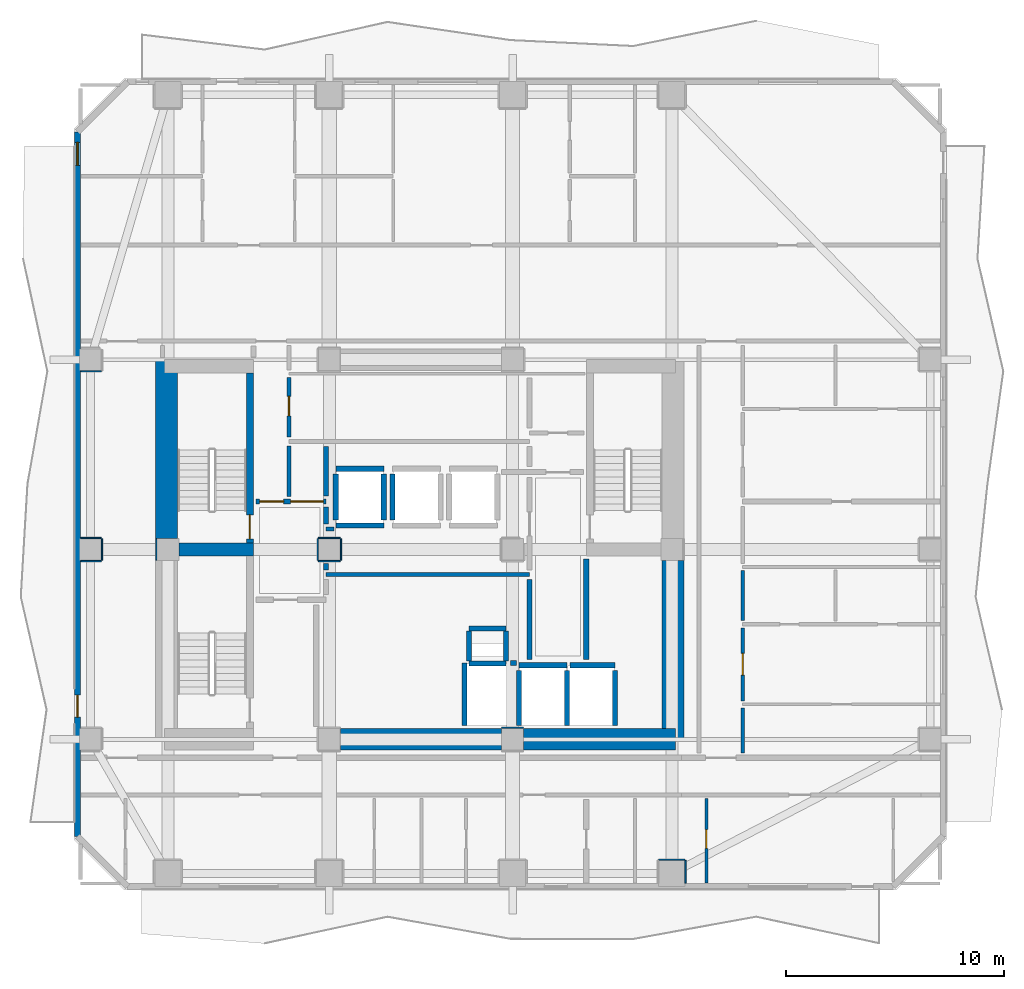
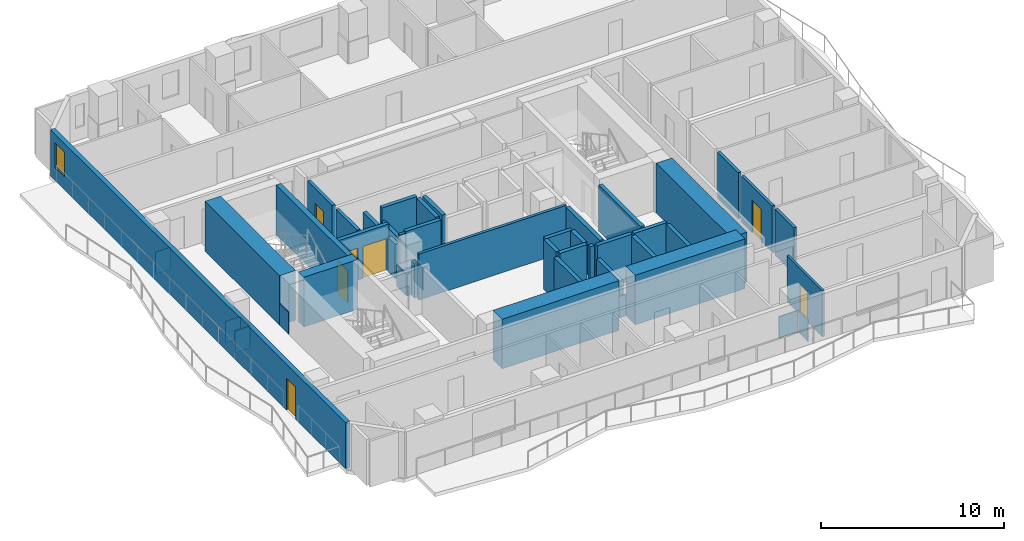
# One storey, part 3 of 11: 49 walls, 7 doors, 1 window, 8 openings.
"""IFC4 building model written with IfcOpenShell, lengths in metres."""

import ifcopenshell
import ifcopenshell.guid

model = None  # the IFC model being written
_history = None  # IfcOwnerHistory: only IFC2X3 demands one
_inside = {}  # id of a spatial element -> (the spatial element, [elements in it])
_under = {}  # id of a project, library or spatial element -> (it, [spatial elements below it])
_declared = {}  # id of a project -> (the project, [libraries it declares])
_typed = {}  # id of a type object -> (the type object, [elements of that type])
_made_of = {}  # id of a material, layer set ... -> (it, [elements and type objects made of it])


def new_model(schema):
    """Start an empty IFC model of exactly this schema.

    Asked for "IFC4X3", IfcOpenShell would pick the latest addendum, in which some entities
    have other attributes; the version numbers below select the first issue.
    IFC2X3 requires an IfcOwnerHistory on every rooted entity: one is made here for all.
    """
    global model, _history
    if schema == "IFC4X3":
        model = ifcopenshell.file(schema_version=(4, 3, 0, 0))
    else:
        model = ifcopenshell.file(schema=schema)
    _inside.clear()
    _under.clear()
    _declared.clear()
    _typed.clear()
    _made_of.clear()
    _history = None
    if model.schema == "IFC2X3":
        org = make("IfcOrganization", Name="unknown")
        user = make(
            "IfcPersonAndOrganization",
            ThePerson=make("IfcPerson", FamilyName="unknown"),
            TheOrganization=org,
        )
        app = make(
            "IfcApplication",
            ApplicationDeveloper=org,
            Version="unknown",
            ApplicationFullName="unknown",
            ApplicationIdentifier="unknown",
        )
        _history = make(
            "IfcOwnerHistory",
            OwningUser=user,
            OwningApplication=app,
            ChangeAction="ADDED",
            CreationDate=0,
        )
    return model


def make(cls, **values):
    """One entity of the class cls with the attributes given. An attribute that is None is left unset."""
    return model.create_entity(
        cls, **{name: value for name, value in values.items() if value is not None}
    )


def rooted(cls, **values):
    """An entity with a GlobalId (a new one), such as an element, a storey or a relation."""
    return make(cls, GlobalId=ifcopenshell.guid.new(), OwnerHistory=_history, **values)


def si_unit(unit_type, name, prefix=None):
    """IfcSIUnit, for example si_unit("LENGTHUNIT", "METRE", prefix="MILLI")."""
    return make("IfcSIUnit", UnitType=unit_type, Prefix=prefix, Name=name)


def assignment(units):
    """IfcUnitAssignment: the units of a project."""
    return None if units is None else make("IfcUnitAssignment", Units=units)


def point(xyz):
    """IfcCartesianPoint."""
    return None if xyz is None else make("IfcCartesianPoint", Coordinates=xyz)


def direction(xyz):
    """IfcDirection."""
    return None if xyz is None else make("IfcDirection", DirectionRatios=xyz)


def frame(location, z_axis=None, x_axis=None):
    """IfcAxis2Placement3D, a coordinate frame: its origin and axes. An axis left out is left unset."""
    return make(
        "IfcAxis2Placement3D",
        Location=point(location),
        Axis=direction(z_axis),
        RefDirection=direction(x_axis),
    )


def frame_2d(location, x_axis=None):
    """IfcAxis2Placement2D, a coordinate frame in the plane: its origin and x axis."""
    return make(
        "IfcAxis2Placement2D", Location=point(location), RefDirection=direction(x_axis)
    )


def origin():
    """The frame at (0, 0, 0) with its axes left unset."""
    return frame((0.0, 0.0, 0.0))


def place(relative_to, where):
    """IfcLocalPlacement: puts the frame where relative to a parent placement (None: the world)."""
    return make(
        "IfcLocalPlacement", PlacementRelTo=relative_to, RelativePlacement=where
    )


def context(
    kind, dimensions, precision=None, world=None, true_north=None, identifier=None
):
    """IfcGeometricRepresentationContext, for example the 3D "Model" context."""
    return make(
        "IfcGeometricRepresentationContext",
        ContextIdentifier=identifier,
        ContextType=kind,
        CoordinateSpaceDimension=dimensions,
        Precision=precision,
        WorldCoordinateSystem=world,
        TrueNorth=true_north,
    )


def subcontext(parent, identifier, kind, view, scale=None):
    """IfcGeometricRepresentationSubContext, for example "Body" below "Model"."""
    return make(
        "IfcGeometricRepresentationSubContext",
        ContextIdentifier=identifier,
        ContextType=kind,
        ParentContext=parent,
        TargetScale=scale,
        TargetView=view,
    )


def project(units=None, contexts=None):
    """IfcProject with its units and contexts."""
    return rooted(
        "IfcProject",
        Name="project",
        RepresentationContexts=contexts,
        UnitsInContext=assignment(units),
    )


def spatial(cls, under=None, at=None, **own):
    """A site, building, storey or space (cls), placed at a placement, below another one or the project."""
    s = rooted(cls, ObjectPlacement=at, **own)
    if under is not None:
        _under.setdefault(under.id(), (under, []))[1].append(s)
    return s


def profile(cls, at=None, kind="AREA", **sizes):
    """A parametric profile (cls). Its sizes go by their IFC names, for example OverallWidth=200.0."""
    return make(cls, ProfileType=kind, Position=at, **sizes)


def rectangle(**sizes):
    """IfcRectangleProfileDef."""
    return profile("IfcRectangleProfileDef", **sizes)


def extrude(swept, where, along, depth):
    """IfcExtrudedAreaSolid: the profile swept, set in the frame where, extruded along a direction by depth."""
    return make(
        "IfcExtrudedAreaSolid",
        SweptArea=swept,
        Position=where,
        ExtrudedDirection=direction(along),
        Depth=depth,
    )


def shape(context_of_items, identifier, shape_type, items):
    """IfcShapeRepresentation: the items that make up one representation, for example the "Body"."""
    return make(
        "IfcShapeRepresentation",
        ContextOfItems=context_of_items,
        RepresentationIdentifier=identifier,
        RepresentationType=shape_type,
        Items=items,
    )


def material(Name=None, Category=None):
    """IfcMaterial."""
    return make("IfcMaterial", Name=Name, Category=Category)


def layer(
    of_material, thickness, ventilated=None, Name=None, Category=None, Priority=None
):
    """IfcMaterialLayer: one layer of a wall or slab, of a material (None: an air gap)."""
    return make(
        "IfcMaterialLayer",
        Material=of_material,
        LayerThickness=thickness,
        IsVentilated=ventilated,
        Name=Name,
        Category=Category,
        Priority=Priority,
    )


def layer_set(layers, Name=None):
    """IfcMaterialLayerSet."""
    return make("IfcMaterialLayerSet", MaterialLayers=layers, LayerSetName=Name)


def made_of(thing, what):
    """Note that an element or type object is made of a material, layer set ...; save() writes the relation."""
    if what is not None:
        _made_of.setdefault(what.id(), (what, []))[1].append(thing)
    return thing


def type_object(cls, material=None, **own):
    """A type object (cls), such as IfcWallType, which elements share."""
    return made_of(rooted(cls, **own), material)


def element(
    cls,
    number,
    at=None,
    inside=None,
    cuts=None,
    type_object=None,
    material=None,
    context=None,
    identifier="Body",
    shape_type=None,
    held_by="IfcProductDefinitionShape",
    body=None,
    shapes=None,
    **own,
):
    """One element of the class cls, such as IfcWall. Its Tag is "e" and its number.

    at: its placement. inside: the storey or other place that contains it. cuts: it is an
    opening in that element (IfcRelVoidsElement). A single representation is given by context,
    identifier, shape_type and body (its items); several are given by shapes. held_by: the class
    of the entity that holds the representations. save() writes the other relations.
    """
    e = rooted(cls, Tag="e%d" % number, ObjectPlacement=at, **own)
    if body is not None:
        shapes = [shape(context, identifier, shape_type, body)]
    if shapes is not None:
        e.Representation = make(held_by, Representations=shapes)
    if inside is not None:
        _inside.setdefault(inside.id(), (inside, []))[1].append(e)
    if cuts is not None:
        rooted(
            "IfcRelVoidsElement", RelatingBuildingElement=cuts, RelatedOpeningElement=e
        )
    if type_object is not None:
        _typed.setdefault(type_object.id(), (type_object, []))[1].append(e)
    return made_of(e, material)


def fill(opening, filler):
    """IfcRelFillsElement: the door or window that sits in an opening."""
    return rooted(
        "IfcRelFillsElement",
        RelatingOpeningElement=opening,
        RelatedBuildingElement=filler,
    )


def aggregate(whole, parts):
    """IfcRelAggregates: a whole, such as a stair, and the parts it consists of."""
    return rooted("IfcRelAggregates", RelatingObject=whole, RelatedObjects=parts)


def save(model, path):
    """Write the relations noted so far, then the file.

    IfcRelAggregates (storeys below a building ...), IfcRelContainedInSpatialStructure (elements
    in a storey), IfcRelDefinesByType, IfcRelAssociatesMaterial and IfcRelDeclares: one each for
    every whole, place, type object, material and project.
    """
    for whole, parts in _under.values():
        aggregate(whole, parts)
    for where, things in _inside.values():
        rooted(
            "IfcRelContainedInSpatialStructure",
            RelatedElements=things,
            RelatingStructure=where,
        )
    for kind, things in _typed.values():
        rooted("IfcRelDefinesByType", RelatedObjects=things, RelatingType=kind)
    for what, things in _made_of.values():
        rooted("IfcRelAssociatesMaterial", RelatedObjects=things, RelatingMaterial=what)
    for by, libraries in _declared.values():
        rooted("IfcRelDeclares", RelatingContext=by, RelatedDefinitions=libraries)
    model.write(path)


model = new_model("IFC4")

# Units and contexts
model_context = context("Model", 3, precision=1e-05, world=origin(), true_north=direction((0.0, 1.0)))
body_context = subcontext(model_context, "Body", "Model", "MODEL_VIEW")
ifc_project = project(units=[si_unit("LENGTHUNIT", "METRE"), si_unit("AREAUNIT", "SQUARE_METRE"), si_unit("VOLUMEUNIT", "CUBIC_METRE"), si_unit("PLANEANGLEUNIT", "RADIAN"), si_unit("MASSUNIT", "GRAM", prefix="KILO")], contexts=[model_context])

# Site, building, storey
site_placement = place(None, origin())
site = spatial("IfcSite", under=ifc_project, at=site_placement, CompositionType="ELEMENT")
building_placement = place(site_placement, origin())
building = spatial("IfcBuilding", under=site, at=building_placement, Name="Solanera Arch Residences", CompositionType="ELEMENT")
storey_placement = place(building_placement, frame((0.0, 0.0, 149.239990234375)))
storey = spatial("IfcBuildingStorey", under=building, at=storey_placement, Name="L43", CompositionType="ELEMENT", Elevation=149.239990234375)

# Walls
ifc_material_1 = material(Name="Fire-Rated Gypsum Stud Partition", Category="gypsum")
ifc_layer_1 = layer(ifc_material_1, 0.06005859375)
ifc_layer_set_1 = layer_set([ifc_layer_1], Name="Fire-Rated Gypsum Stud Partition")
wall_type_1 = type_object("IfcWallType", Name="Column Acoustic Furring Wall 60", PredefinedType="PARTITIONING", material=ifc_layer_set_1)
wall_1_placement = place(storey_placement, frame((28.699951171875, 22.531982421875, 0.0), z_axis=(0.0, 0.0, 1.0), x_axis=(1.0, 0.0, 0.0)))
element("IfcWall", 1, at=wall_1_placement, inside=storey, type_object=wall_type_1, Name="L43 Column Furring 2N", PredefinedType="PARTITIONING", context=body_context, shape_type="SweptSolid", body=[
    extrude(rectangle(XDim=1.0, YDim=0.06005859375, at=frame_2d((0.5, 0.0))), origin(), (0.0, 0.0, 1.0), 1.449951171875),
])
wall_2_placement = place(storey_placement, frame((12.867919921875, 30.2099609375, 0.0), z_axis=(0.0, 0.0, 1.0), x_axis=(0.0, 1.0, 0.0)))
element("IfcWall", 2, at=wall_2_placement, inside=storey, type_object=wall_type_1, Name="L43 Column Furring 5W", PredefinedType="PARTITIONING", context=body_context, shape_type="SweptSolid", body=[
    extrude(rectangle(XDim=0.97998046875, YDim=0.06005859375, at=frame_2d((0.489990234375, 0.0))), origin(), (0.0, 0.0, 1.0), 1.449951171875),
])
for number, where, z_axis, x_axis, name in (
    (3, (20.300048828125, 30.16796875, 0.0), (0.0, 0.0, 1.0), (1.0, 0.0, 0.0), "L43 Column Furring 7S"),
    (4, (20.300048828125, 31.23193359375, 0.0), (0.0, 0.0, 1.0), (1.0, 0.0, 0.0), "L43 Column Furring 7N"),
    (5, (20.26806640625, 30.199951171875, 0.0), (0.0, 0.0, 1.0), (0.0, 1.0, 0.0), "L43 Column Furring 7W"),
    (6, (21.33203125, 30.199951171875, 0.0), (0.0, 0.0, 1.0), (0.0, 1.0, 0.0), "L43 Column Furring 7E"),
):
    element("IfcWall", number, at=place(storey_placement, frame(where, z_axis=z_axis, x_axis=x_axis)), inside=storey, type_object=wall_type_1, Name=name, PredefinedType="PARTITIONING", context=body_context, shape_type="SweptSolid", body=[
        extrude(rectangle(XDim=1.0, YDim=0.06005859375, at=frame_2d((0.5, 0.0))), origin(), (0.0, 0.0, 1.0), 1.449951171875),
    ])
wall_3_placement = place(storey_placement, frame((35.89990234375, 16.48193359375, 0.0), z_axis=(0.0, 0.0, 1.0), x_axis=(1.0, 0.0, 0.0)))
element("IfcWall", 7, at=wall_3_placement, inside=storey, type_object=wall_type_1, Name="L43 Column Furring 15N", PredefinedType="PARTITIONING", context=body_context, shape_type="SweptSolid", body=[
    extrude(rectangle(XDim=1.2001953125, YDim=0.06005859375, at=frame_2d((0.60009765625, 0.0))), origin(), (0.0, 0.0, 1.0), 1.449951171875),
])
wall_4_placement = place(storey_placement, frame((37.132080078125, 15.409912109375, 0.0), z_axis=(0.0, 0.0, 1.0), x_axis=(0.0, 1.0, 0.0)))
element("IfcWall", 8, at=wall_4_placement, inside=storey, type_object=wall_type_1, Name="L43 Column Furring 15E", PredefinedType="PARTITIONING", context=body_context, shape_type="SweptSolid", body=[
    extrude(rectangle(XDim=1.0400390625, YDim=0.06005859375, at=frame_2d((0.52001953125, 0.0))), origin(), (0.0, 0.0, 1.0), 1.449951171875),
])
for number, where, z_axis, x_axis, name in (
    (9, (9.409912109375, 30.16796875, 0.0), (0.0, 0.0, 1.0), (1.0, 0.0, 0.0), "L43 Column Furring 19S"),
    (10, (9.409912109375, 31.23193359375, 0.0), (0.0, 0.0, 1.0), (1.0, 0.0, 0.0), "L43 Column Furring 19N"),
):
    element("IfcWall", number, at=place(storey_placement, frame(where, z_axis=z_axis, x_axis=x_axis)), inside=storey, type_object=wall_type_1, Name=name, PredefinedType="PARTITIONING", context=body_context, shape_type="SweptSolid", body=[
        extrude(rectangle(XDim=0.940185546875, YDim=0.06005859375, at=frame_2d((0.47021484375, 0.0))), origin(), (0.0, 0.0, 1.0), 1.449951171875),
    ])
wall_5_placement = place(storey_placement, frame((10.382080078125, 30.199951171875, 0.0), z_axis=(0.0, 0.0, 1.0), x_axis=(0.0, 1.0, 0.0)))
element("IfcWall", 11, at=wall_5_placement, inside=storey, type_object=wall_type_1, Name="L43 Column Furring 19E", PredefinedType="PARTITIONING", context=body_context, shape_type="SweptSolid", body=[
    extrude(rectangle(XDim=1.0, YDim=0.06005859375, at=frame_2d((0.5, 0.0))), origin(), (0.0, 0.0, 1.0), 1.449951171875),
])
wall_6_placement = place(storey_placement, frame((9.409912109375, 38.867919921875, 0.0), z_axis=(0.0, 0.0, 1.0), x_axis=(1.0, 0.0, 0.0)))
element("IfcWall", 12, at=wall_6_placement, inside=storey, type_object=wall_type_1, Name="L43 Column Furring 21S", PredefinedType="PARTITIONING", context=body_context, shape_type="SweptSolid", body=[
    extrude(rectangle(XDim=0.940185546875, YDim=0.06005859375, at=frame_2d((0.47021484375, 0.0))), origin(), (0.0, 0.0, 1.0), 1.449951171875),
])
ifc_material_2 = material(Name="Concrete C55/67 (f'c = 60 MPa)", Category="concrete")
ifc_layer_2 = layer(ifc_material_2, 1.0)
ifc_layer_set_2 = layer_set([ifc_layer_2], Name="Concrete C55/67 (f'c = 60 MPa)")
wall_type_2 = type_object("IfcWallType", Name="Core Shear Wall CW-1000", PredefinedType="SHEAR", material=ifc_layer_set_2)
wall_7_placement = place(storey_placement, frame((13.340087890625, 31.205078125, 0.0), z_axis=(0.0, 0.0, 1.0), x_axis=(0.0, 1.0, 0.0)))
element("IfcWall", 13, at=wall_7_placement, inside=storey, type_object=wall_type_2, Name="L43 West Core North Shear Wall", PredefinedType="SHEAR", context=body_context, shape_type="SweptSolid", body=[
    extrude(rectangle(XDim=8.19482421875, YDim=1.0, at=frame_2d((4.097412109375, 0.0))), origin(), (0.0, 0.0, 1.0), 3.320068359375),
])
wall_8_placement = place(storey_placement, frame((36.56005859375, 22.0, 0.0), z_axis=(0.0, 0.0, 1.0), x_axis=(0.0, 1.0, 0.0)))
element("IfcWall", 14, at=wall_8_placement, inside=storey, type_object=wall_type_2, Name="L43 East Core South Shear Wall", PredefinedType="SHEAR", context=body_context, shape_type="SweptSolid", body=[
    extrude(rectangle(XDim=8.195068359375, YDim=1.0, at=frame_2d((4.09765625, 0.0))), origin(), (0.0, 0.0, 1.0), 3.320068359375),
])
wall_9_placement = place(storey_placement, frame((29.705078125, 22.0, 0.0), z_axis=(0.0, 0.0, 1.0), x_axis=(1.0, 0.0, 0.0)))
element("IfcWall", 15, at=wall_9_placement, inside=storey, type_object=wall_type_2, Name="L43 South-East Core Shear Wall", PredefinedType="SHEAR", context=body_context, shape_type="SweptSolid", body=[
    extrude(rectangle(XDim=6.954833984375, YDim=1.0, at=frame_2d((3.4775390625, 0.0))), origin(), (0.0, 0.0, 1.0), 3.320068359375),
])
wall_10_placement = place(storey_placement, frame((21.304931640625, 22.0, 0.0), z_axis=(0.0, 0.0, 1.0), x_axis=(1.0, 0.0, 0.0)))
element("IfcWall", 16, at=wall_10_placement, inside=storey, type_object=wall_type_2, Name="L43 Central South Core Shear Wall", PredefinedType="SHEAR", context=body_context, shape_type="SweptSolid", body=[
    extrude(rectangle(XDim=7.39013671875, YDim=1.0, at=frame_2d((3.695068359375, 0.0))), origin(), (0.0, 0.0, 1.0), 3.320068359375),
])

# Wall, opening, door
ifc_material_3 = material(Name="Concrete C40/50 (f'c = 45 MPa)", Category="concrete")
ifc_layer_3 = layer(ifc_material_3, 0.320068359375)
ifc_layer_set_3 = layer_set([ifc_layer_3], Name="Concrete C40/50 (f'c = 45 MPa)")
wall_type_3 = type_object("IfcWallType", Name="Core Shear Wall CW-320", PredefinedType="SHEAR", material=ifc_layer_set_3)
wall_11_placement = place(storey_placement, frame((17.159912109375, 31.0, 0.0), z_axis=(0.0, 0.0, 1.0), x_axis=(0.0, 1.0, 0.0)))
wall_11 = element("IfcWall", 17, at=wall_11_placement, inside=storey, type_object=wall_type_3, Name="L43 Stair ST-T1 East Shear Wall", PredefinedType="SHEAR", context=body_context, shape_type="SweptSolid", body=[
    extrude(rectangle(XDim=7.800048828125, YDim=0.320068359375, at=frame_2d((3.89990234375, 0.0))), origin(), (0.0, 0.0, 1.0), 3.320068359375),
])
opening_1_placement = place(wall_11_placement, frame((0.18994140625, 0.0, 0.0)))
opening_1 = element("IfcOpeningElement", 18, at=opening_1_placement, cuts=wall_11, Name="Opening DF-01", PredefinedType="OPENING", context=body_context, shape_type="SweptSolid", body=[
    extrude(rectangle(XDim=1.10009765625, YDim=2.14990234375, at=frame_2d((0.550048828125, 1.074951171875))), frame((0.0, 0.169921875, 0.0), z_axis=(0.0, -1.0, 0.0), x_axis=(1.0, 0.0, 0.0)), (0.0, 0.0, 1.0), 0.3401),
])
ifc_material_4 = material(Name="Fire-Rated Architectural Hardwood", Category="wood")
door_type_1 = type_object("IfcDoorType", Name="Stair Exit Fire Door DF-01", OperationType="NOTDEFINED", PredefinedType="DOOR", material=ifc_material_4)
door_1_placement = place(opening_1_placement, origin())
door_1 = element("IfcDoor", 19, at=door_1_placement, inside=storey, type_object=door_type_1, Name="DR-L43-STAIR-ST-T1", OperationType="SINGLE_SWING_RIGHT", OverallHeight=2.14990234375, OverallWidth=1.10009765625, PredefinedType="DOOR", context=body_context, shape_type="SweptSolid", body=[
    extrude(rectangle(XDim=1.10009765625, YDim=2.14990234375, at=frame_2d((0.550048828125, 1.074951171875))), frame((0.0, 0.02490234375, 0.0), z_axis=(0.0, -1.0, 0.0), x_axis=(1.0, 0.0, 0.0)), (0.0, 0.0, 1.0), 0.050048828125),
])
fill(opening_1, door_1)

# Walls
ifc_material_5 = material(Name="Concrete C40/50 (f'c = 45 MPa)", Category="concrete")
ifc_layer_4 = layer(ifc_material_5, 0.60009765625)
ifc_layer_set_4 = layer_set([ifc_layer_4], Name="Concrete C40/50 (f'c = 45 MPa)")
wall_type_4 = type_object("IfcWallType", Name="Core Shear Wall CW-600", PredefinedType="SHEAR", material=ifc_layer_set_4)
wall_12_placement = place(storey_placement, frame((13.905029296875, 30.699951171875, 0.0), z_axis=(0.0, 0.0, 1.0), x_axis=(1.0, 0.0, 0.0)))
element("IfcWall", 20, at=wall_12_placement, inside=storey, type_object=wall_type_4, Name="L43 West Stair Divider Shear Wall", PredefinedType="SHEAR", context=body_context, shape_type="SweptSolid", body=[
    extrude(rectangle(XDim=3.4150390625, YDim=0.60009765625, at=frame_2d((1.70751953125, 0.0))), origin(), (0.0, 0.0, 1.0), 3.320068359375),
])
ifc_material_6 = material(Name="Autoclaved Aerated Concrete Blockwork", Category="masonry")
ifc_layer_5 = layer(ifc_material_6, 0.179931640625)
ifc_layer_set_5 = layer_set([ifc_layer_5], Name="Autoclaved Aerated Concrete Blockwork")
wall_type_5 = type_object("IfcWallType", Name="Corridor Fire Partition 180", PredefinedType="PARTITIONING", material=ifc_layer_set_5)
wall_13_placement = place(storey_placement, frame((20.64990234375, 29.550048828125, 0.0), z_axis=(0.0, 0.0, 1.0), x_axis=(1.0, 0.0, 0.0)))
element("IfcWall", 21, at=wall_13_placement, inside=storey, type_object=wall_type_5, Name="L43 Interior Partition H9", PredefinedType="PARTITIONING", context=body_context, shape_type="SweptSolid", body=[
    extrude(rectangle(XDim=9.3251953125, YDim=0.179931640625, at=frame_2d((4.66259765625, 0.0))), origin(), (0.0, 0.0, 1.0), 3.080078125),
])
wall_14_placement = place(storey_placement, frame((20.64990234375, 31.64990234375, 0.0), z_axis=(0.0, 0.0, 1.0), x_axis=(1.0, 0.0, 0.0)))
element("IfcWall", 22, at=wall_14_placement, inside=storey, type_object=wall_type_5, Name="L43 Interior Partition H10", PredefinedType="PARTITIONING", context=body_context, shape_type="SweptSolid", body=[
    extrude(rectangle(XDim=0.357177734375, YDim=0.179931640625, at=frame_2d((0.1787109375, 0.0))), origin(), (0.0, 0.0, 1.0), 3.080078125),
])
wall_15_placement = place(storey_placement, frame((39.75, 21.367919921875, 0.0), z_axis=(0.0, 0.0, 1.0), x_axis=(0.0, 1.0, 0.0)))
element("IfcWall", 23, at=wall_15_placement, inside=storey, type_object=wall_type_5, Name="L43 Interior Partition V12 1", PredefinedType="PARTITIONING", context=body_context, shape_type="SweptSolid", body=[
    extrude(rectangle(XDim=2.073974609375, YDim=0.179931640625, at=frame_2d((1.037109375, 0.0))), origin(), (0.0, 0.0, 1.0), 3.080078125),
])

# Wall, opening, door
wall_16_placement = place(storey_placement, frame((39.75, 23.758056640625, 0.0), z_axis=(0.0, 0.0, 1.0), x_axis=(0.0, 1.0, 0.0)))
wall_16 = element("IfcWall", 24, at=wall_16_placement, inside=storey, type_object=wall_type_5, Name="L43 Interior Partition V12 2", PredefinedType="PARTITIONING", context=body_context, shape_type="SweptSolid", body=[
    extrude(rectangle(XDim=3.348876953125, YDim=0.179931640625, at=frame_2d((1.67431640625, 0.0))), origin(), (0.0, 0.0, 1.0), 3.080078125),
])
opening_2_placement = place(wall_16_placement, frame((1.179931640625, 0.0, 0.0)))
opening_2 = element("IfcOpeningElement", 25, at=opening_2_placement, cuts=wall_16, Name="Opening DI-01", PredefinedType="OPENING", context=body_context, shape_type="SweptSolid", body=[
    extrude(rectangle(XDim=1.0, YDim=2.14990234375, at=frame_2d((0.5, 1.074951171875))), frame((0.0, 0.10009765625, 0.0), z_axis=(0.0, -1.0, 0.0), x_axis=(1.0, 0.0, 0.0)), (0.0, 0.0, 1.0), 0.1999),
])
ifc_material_7 = material(Name="Fire-Rated Architectural Hardwood", Category="wood")
door_type_2 = type_object("IfcDoorType", Name="Unit Entrance Fire Door DI-01", OperationType="NOTDEFINED", PredefinedType="DOOR", material=ifc_material_7)
door_2_placement = place(opening_2_placement, origin())
door_2 = element("IfcDoor", 26, at=door_2_placement, inside=storey, type_object=door_type_2, Name="DR-L43-IN-035", OperationType="SINGLE_SWING_RIGHT", OverallHeight=2.14990234375, OverallWidth=1.0, PredefinedType="DOOR", context=body_context, shape_type="SweptSolid", body=[
    extrude(rectangle(XDim=1.0, YDim=2.14990234375, at=frame_2d((0.5, 1.074951171875))), frame((0.0, 0.02490234375, 0.0), z_axis=(0.0, -1.0, 0.0), x_axis=(1.0, 0.0, 0.0)), (0.0, 0.0, 1.0), 0.050048828125),
])
fill(opening_2, door_2)

# Wall
wall_17_placement = place(storey_placement, frame((39.75, 27.443115234375, 0.0), z_axis=(0.0, 0.0, 1.0), x_axis=(0.0, 1.0, 0.0)))
element("IfcWall", 27, at=wall_17_placement, inside=storey, type_object=wall_type_5, Name="L43 Interior Partition V12 3", PredefinedType="PARTITIONING", context=body_context, shape_type="SweptSolid", body=[
    extrude(rectangle(XDim=2.288818359375, YDim=0.179931640625, at=frame_2d((1.14453125, 0.0))), origin(), (0.0, 0.0, 1.0), 3.080078125),
])

# Wall, openings, door, window
ifc_material_8 = material(Name="Precast Concrete C35/45", Category="concrete")
ifc_layer_6 = layer(ifc_material_8, 0.280029296875)
ifc_layer_set_6 = layer_set([ifc_layer_6], Name="Precast Concrete C35/45")
wall_type_6 = type_object("IfcWallType", Name="Exterior Wall Precast Masonry-Frame 280", PredefinedType="STANDARD", material=ifc_layer_set_6)
wall_18_placement = place(storey_placement, frame((9.2548828125, 17.554931640625, 0.0), z_axis=(0.0, 0.0, 1.0), x_axis=(0.0, 1.0, 0.0)))
wall_18 = element("IfcWall", 28, at=wall_18_placement, inside=storey, type_object=wall_type_6, Name="L43 Tower Exterior Precast Masonry-Frame Wall W", PredefinedType="STANDARD", context=body_context, shape_type="SweptSolid", body=[
    extrude(rectangle(XDim=32.2900390625, YDim=0.280029296875, at=frame_2d((16.14501953125, 0.0))), origin(), (0.0, 0.0, 1.0), 3.080078125),
])
opening_3_placement = place(wall_18_placement, frame((5.467041015625, 0.0, 0.0)))
opening_3 = element("IfcOpeningElement", 29, at=opening_3_placement, cuts=wall_18, Name="Opening DB-01", PredefinedType="OPENING", context=body_context, shape_type="SweptSolid", body=[
    extrude(rectangle(XDim=1.0, YDim=2.14990234375, at=frame_2d((0.5, 1.074951171875))), frame((0.0, 0.14990234375, 0.0), z_axis=(0.0, -1.0, 0.0), x_axis=(1.0, 0.0, 0.0)), (0.0, 0.0, 1.0), 0.3),
])
opening_4_placement = place(wall_18_placement, frame((30.7529296875, 0.0, 0.85009765625)))
opening_4 = element("IfcOpeningElement", 30, at=opening_4_placement, cuts=wall_18, Name="Opening W-07", PredefinedType="OPENING", context=body_context, shape_type="SweptSolid", body=[
    extrude(rectangle(XDim=1.050048828125, YDim=1.64990234375, at=frame_2d((0.52490234375, 0.824951171875))), frame((0.0, 0.14990234375, 0.0), z_axis=(0.0, -1.0, 0.0), x_axis=(1.0, 0.0, 0.0)), (0.0, 0.0, 1.0), 0.3),
])
ifc_material_9 = material(Name="Anodised Aluminium Alloy 6063-T6", Category="aluminium")
door_type_3 = type_object("IfcDoorType", Name="Glazed Balcony Swing Door DB-01", OperationType="NOTDEFINED", PredefinedType="DOOR", material=ifc_material_9)
door_3_placement = place(opening_3_placement, origin())
door_3 = element("IfcDoor", 31, at=door_3_placement, inside=storey, type_object=door_type_3, Name="DR-L43-OUT-04", OperationType="SINGLE_SWING_RIGHT", OverallHeight=2.14990234375, OverallWidth=1.0, PredefinedType="DOOR", context=body_context, shape_type="SweptSolid", body=[
    extrude(rectangle(XDim=1.0, YDim=2.14990234375, at=frame_2d((0.5, 1.074951171875))), frame((0.0, 0.02490234375, 0.0), z_axis=(0.0, -1.0, 0.0), x_axis=(1.0, 0.0, 0.0)), (0.0, 0.0, 1.0), 0.050048828125),
])
fill(opening_3, door_3)
ifc_material_10 = material(Name="Double Glazed Low-E Laminated Glass", Category="glass")
window_type = type_object("IfcWindowType", Name="Punched Window W-07", PartitioningType="SINGLE_PANEL", PredefinedType="WINDOW", material=ifc_material_10)
window_placement = place(opening_4_placement, origin())
window = element("IfcWindow", 32, at=window_placement, inside=storey, type_object=window_type, Name="L43 4304-BR1 Punched Window", OverallHeight=1.64990234375, OverallWidth=1.050048828125, PartitioningType="SINGLE_PANEL", PredefinedType="WINDOW", context=body_context, shape_type="SweptSolid", body=[
    extrude(rectangle(XDim=1.050048828125, YDim=1.64990234375, at=frame_2d((0.52490234375, 0.824951171875))), frame((0.0, 0.030029296875, 0.0), z_axis=(0.0, -1.0, 0.0), x_axis=(1.0, 0.0, 0.0)), (0.0, 0.0, 1.0), 0.06005859375),
])
fill(opening_4, window)

# Wall
ifc_material_11 = material(Name="Autoclaved Aerated Concrete Blockwork", Category="masonry")
ifc_layer_7 = layer(ifc_material_11, 0.199951171875)
ifc_layer_set_7 = layer_set([ifc_layer_7], Name="Autoclaved Aerated Concrete Blockwork")
wall_type_7 = type_object("IfcWallType", Name="Party Wall Acoustic 200", PredefinedType="PARTITIONING", material=ifc_layer_set_7)
wall_19_placement = place(storey_placement, frame((18.949951171875, 33.1279296875, 0.0), z_axis=(0.0, 0.0, 1.0), x_axis=(0.0, 1.0, 0.0)))
element("IfcWall", 33, at=wall_19_placement, inside=storey, type_object=wall_type_7, Name="L43 Interior Partition V7 1", PredefinedType="PARTITIONING", context=body_context, shape_type="SweptSolid", body=[
    extrude(rectangle(XDim=2.31396484375, YDim=0.199951171875, at=frame_2d((1.156982421875, 0.0))), origin(), (0.0, 0.0, 1.0), 3.080078125),
])

# Wall, opening, door
wall_20_placement = place(storey_placement, frame((18.949951171875, 35.85791015625, 0.0), z_axis=(0.0, 0.0, 1.0), x_axis=(0.0, 1.0, 0.0)))
wall_20 = element("IfcWall", 34, at=wall_20_placement, inside=storey, type_object=wall_type_7, Name="L43 Interior Partition V7 2", PredefinedType="PARTITIONING", context=body_context, shape_type="SweptSolid", body=[
    extrude(rectangle(XDim=2.72412109375, YDim=0.199951171875, at=frame_2d((1.362060546875, 0.0))), origin(), (0.0, 0.0, 1.0), 3.080078125),
])
opening_5_placement = place(wall_20_placement, frame((0.967041015625, 0.0, 0.0)))
opening_5 = element("IfcOpeningElement", 35, at=opening_5_placement, cuts=wall_20, Name="Opening DI-02", PredefinedType="OPENING", context=body_context, shape_type="SweptSolid", body=[
    extrude(rectangle(XDim=0.89990234375, YDim=2.10009765625, at=frame_2d((0.449951171875, 1.050048828125))), frame((0.0, 0.110107421875, 0.0), z_axis=(0.0, -1.0, 0.0), x_axis=(1.0, 0.0, 0.0)), (0.0, 0.0, 1.0), 0.22),
])
ifc_material_12 = material(Name="Fire-Rated Architectural Hardwood", Category="wood")
door_type_4 = type_object("IfcDoorType", Name="Suite Room Swing Door DI-02", OperationType="NOTDEFINED", PredefinedType="DOOR", material=ifc_material_12)
door_4_placement = place(opening_5_placement, origin())
door_4 = element("IfcDoor", 36, at=door_4_placement, inside=storey, type_object=door_type_4, Name="DR-L43-IN-016", OperationType="SINGLE_SWING_LEFT", OverallHeight=2.10009765625, OverallWidth=0.89990234375, PredefinedType="DOOR", context=body_context, shape_type="SweptSolid", body=[
    extrude(rectangle(XDim=0.89990234375, YDim=2.10009765625, at=frame_2d((0.449951171875, 1.050048828125))), frame((0.0, 0.02490234375, 0.0), z_axis=(0.0, -1.0, 0.0), x_axis=(1.0, 0.0, 0.0)), (0.0, 0.0, 1.0), 0.050048828125),
])
fill(opening_5, door_4)

# Walls
ifc_material_13 = material(Name="Concrete C40/50 (f'c = 45 MPa)", Category="concrete")
ifc_layer_8 = layer(ifc_material_13, 0.239990234375)
ifc_layer_set_8 = layer_set([ifc_layer_8], Name="Concrete C40/50 (f'c = 45 MPa)")
wall_type_8 = type_object("IfcWallType", Name="Ramp Bearing Shear Wall RW-240", PredefinedType="SHEAR", material=ifc_layer_set_8)
for number, where, z_axis, x_axis, name in (
    (37, (27.199951171875, 25.47998046875, 0.0), (0.0, 0.0, 1.0), (1.0, 0.0, 0.0), "L43 Core MEP Riser South Shaft Wall"),
    (38, (27.199951171875, 27.080078125, 0.0), (0.0, 0.0, 1.0), (1.0, 0.0, 0.0), "L43 Core MEP Riser North Shaft Wall"),
):
    element("IfcWall", number, at=place(storey_placement, frame(where, z_axis=z_axis, x_axis=x_axis)), inside=storey, type_object=wall_type_8, Name=name, PredefinedType="SHEAR", context=body_context, shape_type="SweptSolid", body=[
        extrude(rectangle(XDim=1.699951171875, YDim=0.239990234375, at=frame_2d((0.85009765625, 0.0))), origin(), (0.0, 0.0, 1.0), 3.320068359375),
    ])
for number, where, z_axis, x_axis, name in (
    (39, (27.199951171875, 25.60009765625, 0.0), (0.0, 0.0, 1.0), (0.0, 1.0, 0.0), "L43 Core MEP Riser West Shaft Wall"),
    (40, (28.89990234375, 25.60009765625, 0.0), (0.0, 0.0, 1.0), (0.0, 1.0, 0.0), "L43 Core MEP Riser East Shaft Wall"),
):
    element("IfcWall", number, at=place(storey_placement, frame(where, z_axis=z_axis, x_axis=x_axis)), inside=storey, type_object=wall_type_8, Name=name, PredefinedType="SHEAR", context=body_context, shape_type="SweptSolid", body=[
        extrude(rectangle(XDim=1.35986328125, YDim=0.239990234375, at=frame_2d((0.679931640625, 0.0))), origin(), (0.0, 0.0, 1.0), 3.320068359375),
    ])
ifc_material_14 = material(Name="Autoclaved Aerated Concrete Blockwork", Category="masonry")
ifc_layer_9 = layer(ifc_material_14, 0.239990234375)
ifc_layer_set_9 = layer_set([ifc_layer_9], Name="Autoclaved Aerated Concrete Blockwork")
wall_type_9 = type_object("IfcWallType", Name="Shaft Wall Fire-Rated 240", PredefinedType="PARTITIONING", material=ifc_layer_set_9)
for number, where, z_axis, x_axis, name in (
    (41, (21.10009765625, 31.800048828125, 0.0), (0.0, 0.0, 1.0), (1.0, 0.0, 0.0), "L43 Lift PL-M1 Hoistway Wall S"),
    (42, (21.10009765625, 34.39990234375, 0.0), (0.0, 0.0, 1.0), (1.0, 0.0, 0.0), "L43 Lift PL-M1 Hoistway Wall N"),
):
    element("IfcWall", number, at=place(storey_placement, frame(where, z_axis=z_axis, x_axis=x_axis)), inside=storey, type_object=wall_type_9, Name=name, PredefinedType="PARTITIONING", context=body_context, shape_type="SweptSolid", body=[
        extrude(rectangle(XDim=2.199951171875, YDim=0.239990234375, at=frame_2d((1.10009765625, 0.0))), origin(), (0.0, 0.0, 1.0), 3.080078125),
    ])
wall_21_placement = place(storey_placement, frame((21.10009765625, 32.048095703125, 0.0), z_axis=(0.0, 0.0, 1.0), x_axis=(0.0, 1.0, 0.0)))
element("IfcWall", 43, at=wall_21_placement, inside=storey, type_object=wall_type_9, Name="L43 Lift PL-M1 Hoistway Wall W", PredefinedType="PARTITIONING", context=body_context, shape_type="SweptSolid", body=[
    extrude(rectangle(XDim=2.10400390625, YDim=0.239990234375, at=frame_2d((1.052001953125, 0.0))), origin(), (0.0, 0.0, 1.0), 2.31494140625),
])
for number, where, z_axis, x_axis, name in (
    (44, (23.300048828125, 32.048095703125, 0.0), (0.0, 0.0, 1.0), (0.0, 1.0, 0.0), "L43 Lift PL-M1 Hoistway Wall E"),
    (45, (23.699951171875, 32.048095703125, 0.0), (0.0, 0.0, 1.0), (0.0, 1.0, 0.0), "L43 Lift PL-M2 Hoistway Wall W"),
):
    element("IfcWall", number, at=place(storey_placement, frame(where, z_axis=z_axis, x_axis=x_axis)), inside=storey, type_object=wall_type_9, Name=name, PredefinedType="PARTITIONING", context=body_context, shape_type="SweptSolid", body=[
        extrude(rectangle(XDim=2.10400390625, YDim=0.239990234375, at=frame_2d((1.052001953125, 0.0))), origin(), (0.0, 0.0, 1.0), 3.080078125),
    ])
wall_22_placement = place(storey_placement, frame((29.5, 25.39990234375, 0.0), z_axis=(0.0, 0.0, 1.0), x_axis=(1.0, 0.0, 0.0)))
element("IfcWall", 46, at=wall_22_placement, inside=storey, type_object=wall_type_9, Name="L43 Lift FFL-1 Hoistway Wall N", PredefinedType="PARTITIONING", context=body_context, shape_type="SweptSolid", body=[
    extrude(rectangle(XDim=2.199951171875, YDim=0.239990234375, at=frame_2d((1.10009765625, 0.0))), origin(), (0.0, 0.0, 1.0), 3.080078125),
])
wall_23_placement = place(storey_placement, frame((29.5, 22.632080078125, 0.0), z_axis=(0.0, 0.0, 1.0), x_axis=(0.0, 1.0, 0.0)))
element("IfcWall", 47, at=wall_23_placement, inside=storey, type_object=wall_type_9, Name="L43 Lift FFL-1 Hoistway Wall W", PredefinedType="PARTITIONING", context=body_context, shape_type="SweptSolid", body=[
    extrude(rectangle(XDim=2.52001953125, YDim=0.239990234375, at=frame_2d((1.260009765625, 0.0))), origin(), (0.0, 0.0, 1.0), 2.31494140625),
])
wall_24_placement = place(storey_placement, frame((31.699951171875, 22.6298828125, 0.0), z_axis=(0.0, 0.0, 1.0), x_axis=(0.0, 1.0, 0.0)))
element("IfcWall", 48, at=wall_24_placement, inside=storey, type_object=wall_type_9, Name="L43 Lift FFL-1 Hoistway Wall E", PredefinedType="PARTITIONING", context=body_context, shape_type="SweptSolid", body=[
    extrude(rectangle(XDim=2.522216796875, YDim=0.239990234375, at=frame_2d((1.26123046875, 0.0))), origin(), (0.0, 0.0, 1.0), 3.080078125),
])
wall_25_placement = place(storey_placement, frame((31.827880859375, 25.39990234375, 0.0), z_axis=(0.0, 0.0, 1.0), x_axis=(1.0, 0.0, 0.0)))
element("IfcWall", 49, at=wall_25_placement, inside=storey, type_object=wall_type_9, Name="L43 Lift FFL-2 Hoistway Wall N", PredefinedType="PARTITIONING", context=body_context, shape_type="SweptSolid", body=[
    extrude(rectangle(XDim=2.072021484375, YDim=0.239990234375, at=frame_2d((1.0361328125, 0.0))), origin(), (0.0, 0.0, 1.0), 3.080078125),
])
wall_26_placement = place(storey_placement, frame((33.89990234375, 22.6298828125, 0.0), z_axis=(0.0, 0.0, 1.0), x_axis=(0.0, 1.0, 0.0)))
element("IfcWall", 50, at=wall_26_placement, inside=storey, type_object=wall_type_9, Name="L43 Lift FFL-2 Hoistway Wall E", PredefinedType="PARTITIONING", context=body_context, shape_type="SweptSolid", body=[
    extrude(rectangle(XDim=2.522216796875, YDim=0.239990234375, at=frame_2d((1.26123046875, 0.0))), origin(), (0.0, 0.0, 1.0), 3.080078125),
])
wall_27_placement = place(storey_placement, frame((29.10302734375, 25.5, 0.0), z_axis=(0.0, 0.0, 1.0), x_axis=(1.0, 0.0, 0.0)))
element("IfcWall", 51, at=wall_27_placement, inside=storey, type_object=wall_type_9, Name="L43 Lift SVL-1 Hoistway Wall N", PredefinedType="PARTITIONING", context=body_context, shape_type="SweptSolid", body=[
    extrude(rectangle(XDim=0.26904296875, YDim=0.239990234375, at=frame_2d((0.134521484375, 0.0))), origin(), (0.0, 0.0, 1.0), 3.080078125),
])
wall_28_placement = place(storey_placement, frame((27.0, 22.6298828125, 0.0), z_axis=(0.0, 0.0, 1.0), x_axis=(0.0, 1.0, 0.0)))
element("IfcWall", 52, at=wall_28_placement, inside=storey, type_object=wall_type_9, Name="L43 Lift SVL-1 Hoistway Wall W", PredefinedType="PARTITIONING", context=body_context, shape_type="SweptSolid", body=[
    extrude(rectangle(XDim=2.8681640625, YDim=0.239990234375, at=frame_2d((1.43408203125, 0.0))), origin(), (0.0, 0.0, 1.0), 3.080078125),
])

# Wall, openings, doors
wall_29_placement = place(storey_placement, frame((17.449951171875, 32.89990234375, 0.0), z_axis=(0.0, 0.0, 1.0), x_axis=(1.0, 0.0, 0.0)))
wall_29 = element("IfcWall", 53, at=wall_29_placement, inside=storey, type_object=wall_type_9, Name="L43 Interior Partition H4", PredefinedType="PARTITIONING", context=body_context, shape_type="SweptSolid", body=[
    extrude(rectangle(XDim=3.199951171875, YDim=0.239990234375, at=frame_2d((1.60009765625, 0.0))), origin(), (0.0, 0.0, 1.0), 3.080078125),
])
opening_6_placement = place(wall_29_placement, frame((0.158935546875, 0.0, 0.0)))
opening_6 = element("IfcOpeningElement", 54, at=opening_6_placement, cuts=wall_29, Name="Opening DF-02", PredefinedType="OPENING", context=body_context, shape_type="SweptSolid", body=[
    extrude(rectangle(XDim=1.10009765625, YDim=2.14990234375, at=frame_2d((0.550048828125, 1.074951171875))), frame((0.0, 0.1298828125, 0.0), z_axis=(0.0, -1.0, 0.0), x_axis=(1.0, 0.0, 0.0)), (0.0, 0.0, 1.0), 0.26),
])
opening_7_placement = place(wall_29_placement, frame((1.575927734375, 0.0, 0.0)))
opening_7 = element("IfcOpeningElement", 55, at=opening_7_placement, cuts=wall_29, Name="Opening DP-01", PredefinedType="OPENING", context=body_context, shape_type="SweptSolid", body=[
    extrude(rectangle(XDim=1.5, YDim=2.14990234375, at=frame_2d((0.75, 1.074951171875))), frame((0.0, 0.1298828125, 0.0), z_axis=(0.0, -1.0, 0.0), x_axis=(1.0, 0.0, 0.0)), (0.0, 0.0, 1.0), 0.26),
])
ifc_material_15 = material(Name="Fire-Rated Architectural Hardwood", Category="wood")
door_type_5 = type_object("IfcDoorType", Name="Firefighting Lobby Fire Door DF-02", OperationType="NOTDEFINED", PredefinedType="DOOR", material=ifc_material_15)
door_5_placement = place(opening_6_placement, origin())
door_5 = element("IfcDoor", 56, at=door_5_placement, inside=storey, type_object=door_type_5, Name="DR-L43-IN-005", OperationType="SINGLE_SWING_RIGHT", OverallHeight=2.14990234375, OverallWidth=1.10009765625, PredefinedType="DOOR", context=body_context, shape_type="SweptSolid", body=[
    extrude(rectangle(XDim=1.10009765625, YDim=2.14990234375, at=frame_2d((0.550048828125, 1.074951171875))), frame((0.0, 0.02490234375, 0.0), z_axis=(0.0, -1.0, 0.0), x_axis=(1.0, 0.0, 0.0)), (0.0, 0.0, 1.0), 0.050048828125),
])
fill(opening_6, door_5)
ifc_material_16 = material(Name="Fire-Rated Architectural Hardwood", Category="wood")
door_type_6 = type_object("IfcDoorType", Name="Plant Double Fire Door DP-01", OperationType="NOTDEFINED", PredefinedType="DOOR", material=ifc_material_16)
door_6_placement = place(opening_7_placement, origin())
door_6 = element("IfcDoor", 57, at=door_6_placement, inside=storey, type_object=door_type_6, Name="DR-L43-IN-014", OperationType="SINGLE_SWING_LEFT", OverallHeight=2.14990234375, OverallWidth=1.5, PredefinedType="DOOR", context=body_context, shape_type="SweptSolid", body=[
    extrude(rectangle(XDim=1.5, YDim=2.14990234375, at=frame_2d((0.75, 1.074951171875))), frame((0.0, 0.02490234375, 0.0), z_axis=(0.0, -1.0, 0.0), x_axis=(1.0, 0.0, 0.0)), (0.0, 0.0, 1.0), 0.050048828125),
])
fill(opening_7, door_6)

# Walls
wall_30_placement = place(storey_placement, frame((20.64990234375, 29.76806640625, 0.0), z_axis=(0.0, 0.0, 1.0), x_axis=(0.0, 1.0, 0.0)))
element("IfcWall", 58, at=wall_30_placement, inside=storey, type_object=wall_type_9, Name="L43 Interior Partition V3 2", PredefinedType="PARTITIONING", context=body_context, shape_type="SweptSolid", body=[
    extrude(rectangle(XDim=0.300048828125, YDim=0.239990234375, at=frame_2d((0.14990234375, 0.0))), origin(), (0.0, 0.0, 1.0), 2.31494140625),
])
wall_31_placement = place(storey_placement, frame((20.64990234375, 31.867919921875, 0.0), z_axis=(0.0, 0.0, 1.0), x_axis=(0.0, 1.0, 0.0)))
element("IfcWall", 59, at=wall_31_placement, inside=storey, type_object=wall_type_9, Name="L43 Interior Partition V3 3", PredefinedType="PARTITIONING", context=body_context, shape_type="SweptSolid", body=[
    extrude(rectangle(XDim=0.7841796875, YDim=0.239990234375, at=frame_2d((0.39208984375, 0.0))), origin(), (0.0, 0.0, 1.0), 2.31494140625),
])
wall_32_placement = place(storey_placement, frame((20.64990234375, 33.14794921875, 0.0), z_axis=(0.0, 0.0, 1.0), x_axis=(0.0, 1.0, 0.0)))
element("IfcWall", 60, at=wall_32_placement, inside=storey, type_object=wall_type_9, Name="L43 Interior Partition V3 4", PredefinedType="PARTITIONING", context=body_context, shape_type="SweptSolid", body=[
    extrude(rectangle(XDim=2.274169921875, YDim=0.239990234375, at=frame_2d((1.13720703125, 0.0))), origin(), (0.0, 0.0, 1.0), 2.31494140625),
])
wall_33_placement = place(storey_placement, frame((29.97509765625, 25.64794921875, 0.0), z_axis=(0.0, 0.0, 1.0), x_axis=(0.0, 1.0, 0.0)))
element("IfcWall", 61, at=wall_33_placement, inside=storey, type_object=wall_type_9, Name="L43 Interior Partition V4 1", PredefinedType="PARTITIONING", context=body_context, shape_type="SweptSolid", body=[
    extrude(rectangle(XDim=3.68408203125, YDim=0.239990234375, at=frame_2d((1.842041015625, 0.0))), origin(), (0.0, 0.0, 1.0), 3.080078125),
])
wall_34_placement = place(storey_placement, frame((32.580078125, 25.64794921875, 0.0), z_axis=(0.0, 0.0, 1.0), x_axis=(0.0, 1.0, 0.0)))
element("IfcWall", 62, at=wall_34_placement, inside=storey, type_object=wall_type_9, Name="L43 Interior Partition V6", PredefinedType="PARTITIONING", context=body_context, shape_type="SweptSolid", body=[
    extrude(rectangle(XDim=4.6220703125, YDim=0.239990234375, at=frame_2d((2.31103515625, 0.0))), origin(), (0.0, 0.0, 1.0), 3.080078125),
])

# Wall, opening, door
ifc_material_17 = material(Name="Autoclaved Aerated Concrete Blockwork", Category="masonry")
ifc_layer_10 = layer(ifc_material_17, 0.139892578125)
ifc_layer_set_10 = layer_set([ifc_layer_10], Name="Autoclaved Aerated Concrete Blockwork")
wall_type_10 = type_object("IfcWallType", Name="Wet-Room Partition 140", PredefinedType="PARTITIONING", material=ifc_layer_set_10)
wall_35_placement = place(storey_placement, frame((38.080078125, 15.406982421875, 0.0), z_axis=(0.0, 0.0, 1.0), x_axis=(0.0, 1.0, 0.0)))
wall_35 = element("IfcWall", 63, at=wall_35_placement, inside=storey, type_object=wall_type_10, Name="L43 Interior Partition V21", PredefinedType="PARTITIONING", context=body_context, shape_type="SweptSolid", body=[
    extrude(rectangle(XDim=3.875, YDim=0.139892578125, at=frame_2d((1.9375, 0.0))), origin(), (0.0, 0.0, 1.0), 3.080078125),
])
opening_8_placement = place(wall_35_placement, frame((1.587890625, 0.0, 0.0)))
opening_8 = element("IfcOpeningElement", 64, at=opening_8_placement, cuts=wall_35, Name="Opening DI-05", PredefinedType="OPENING", context=body_context, shape_type="SweptSolid", body=[
    extrude(rectangle(XDim=0.860107421875, YDim=2.02001953125, at=frame_2d((0.43017578125, 1.010009765625))), frame((0.0, 0.079833984375, 0.0), z_axis=(0.0, -1.0, 0.0), x_axis=(1.0, 0.0, 0.0)), (0.0, 0.0, 1.0), 0.1599),
])
ifc_material_18 = material(Name="Fire-Rated Architectural Hardwood", Category="wood")
door_type_7 = type_object("IfcDoorType", Name="Bathroom Swing Door DI-05", OperationType="NOTDEFINED", PredefinedType="DOOR", material=ifc_material_18)
door_7_placement = place(opening_8_placement, origin())
door_7 = element("IfcDoor", 65, at=door_7_placement, inside=storey, type_object=door_type_7, Name="DR-L43-IN-024", OperationType="SINGLE_SWING_LEFT", OverallHeight=2.02001953125, OverallWidth=0.860107421875, PredefinedType="DOOR", context=body_context, shape_type="SweptSolid", body=[
    extrude(rectangle(XDim=0.860107421875, YDim=2.02001953125, at=frame_2d((0.43017578125, 1.010009765625))), frame((0.0, 0.02490234375, 0.0), z_axis=(0.0, -1.0, 0.0), x_axis=(1.0, 0.0, 0.0)), (0.0, 0.0, 1.0), 0.050048828125),
])
fill(opening_8, door_7)

save(model, "model.ifc")
